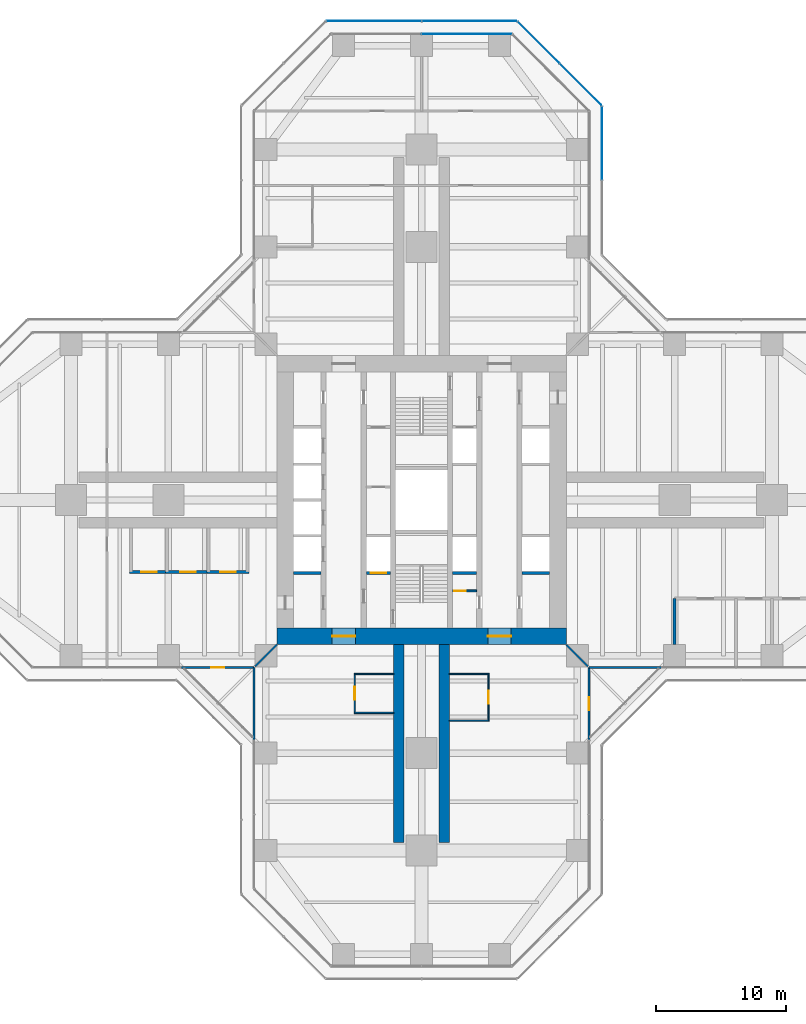
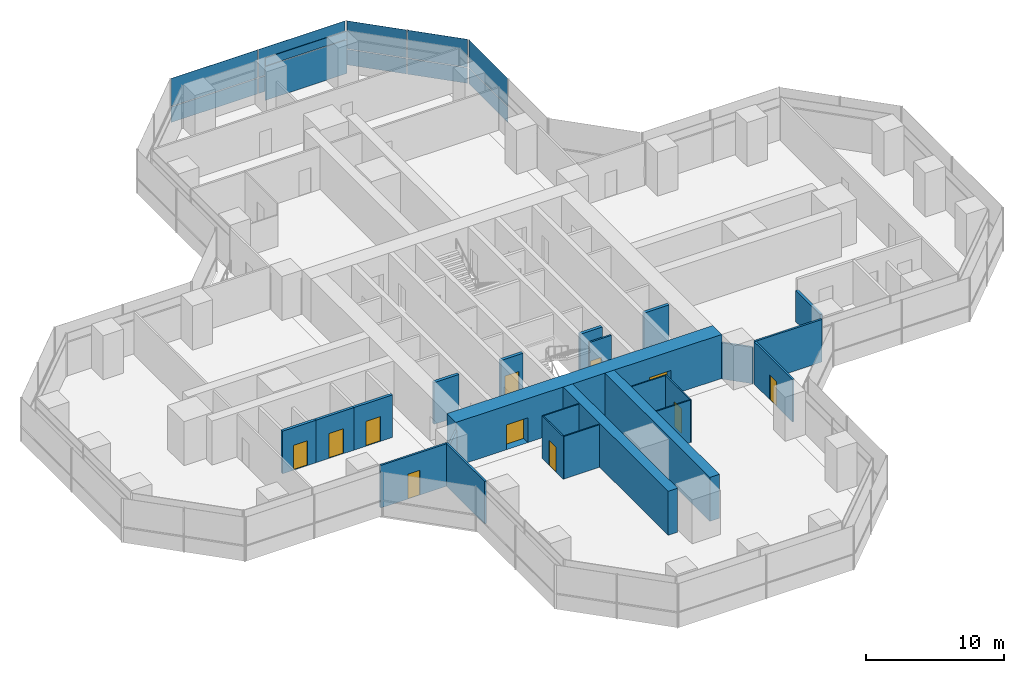
# One storey, part 17 of 22: 24 walls, 12 plates, 11 doors, 11 openings, 4 elements without a shape of their own.
"""IFC4 building model written with IfcOpenShell, lengths in metres."""

import ifcopenshell
import ifcopenshell.guid

model = None  # the IFC model being written
_history = None  # IfcOwnerHistory: only IFC2X3 demands one
_inside = {}  # id of a spatial element -> (the spatial element, [elements in it])
_under = {}  # id of a project, library or spatial element -> (it, [spatial elements below it])
_declared = {}  # id of a project -> (the project, [libraries it declares])
_typed = {}  # id of a type object -> (the type object, [elements of that type])
_made_of = {}  # id of a material, layer set ... -> (it, [elements and type objects made of it])


def new_model(schema):
    """Start an empty IFC model of exactly this schema.

    Asked for "IFC4X3", IfcOpenShell would pick the latest addendum, in which some entities
    have other attributes; the version numbers below select the first issue.
    IFC2X3 requires an IfcOwnerHistory on every rooted entity: one is made here for all.
    """
    global model, _history
    if schema == "IFC4X3":
        model = ifcopenshell.file(schema_version=(4, 3, 0, 0))
    else:
        model = ifcopenshell.file(schema=schema)
    _inside.clear()
    _under.clear()
    _declared.clear()
    _typed.clear()
    _made_of.clear()
    _history = None
    if model.schema == "IFC2X3":
        org = make("IfcOrganization", Name="unknown")
        user = make(
            "IfcPersonAndOrganization",
            ThePerson=make("IfcPerson", FamilyName="unknown"),
            TheOrganization=org,
        )
        app = make(
            "IfcApplication",
            ApplicationDeveloper=org,
            Version="unknown",
            ApplicationFullName="unknown",
            ApplicationIdentifier="unknown",
        )
        _history = make(
            "IfcOwnerHistory",
            OwningUser=user,
            OwningApplication=app,
            ChangeAction="ADDED",
            CreationDate=0,
        )
    return model


def make(cls, **values):
    """One entity of the class cls with the attributes given. An attribute that is None is left unset."""
    return model.create_entity(
        cls, **{name: value for name, value in values.items() if value is not None}
    )


def rooted(cls, **values):
    """An entity with a GlobalId (a new one), such as an element, a storey or a relation."""
    return make(cls, GlobalId=ifcopenshell.guid.new(), OwnerHistory=_history, **values)


def si_unit(unit_type, name, prefix=None):
    """IfcSIUnit, for example si_unit("LENGTHUNIT", "METRE", prefix="MILLI")."""
    return make("IfcSIUnit", UnitType=unit_type, Prefix=prefix, Name=name)


def assignment(units):
    """IfcUnitAssignment: the units of a project."""
    return None if units is None else make("IfcUnitAssignment", Units=units)


def point(xyz):
    """IfcCartesianPoint."""
    return None if xyz is None else make("IfcCartesianPoint", Coordinates=xyz)


def direction(xyz):
    """IfcDirection."""
    return None if xyz is None else make("IfcDirection", DirectionRatios=xyz)


def frame(location, z_axis=None, x_axis=None):
    """IfcAxis2Placement3D, a coordinate frame: its origin and axes. An axis left out is left unset."""
    return make(
        "IfcAxis2Placement3D",
        Location=point(location),
        Axis=direction(z_axis),
        RefDirection=direction(x_axis),
    )


def frame_2d(location, x_axis=None):
    """IfcAxis2Placement2D, a coordinate frame in the plane: its origin and x axis."""
    return make(
        "IfcAxis2Placement2D", Location=point(location), RefDirection=direction(x_axis)
    )


def origin():
    """The frame at (0, 0, 0) with its axes left unset."""
    return frame((0.0, 0.0, 0.0))


def origin_2d():
    """The frame at (0, 0) in the plane with its x axis left unset."""
    return frame_2d((0.0, 0.0))


def place(relative_to, where):
    """IfcLocalPlacement: puts the frame where relative to a parent placement (None: the world)."""
    return make(
        "IfcLocalPlacement", PlacementRelTo=relative_to, RelativePlacement=where
    )


def context(
    kind, dimensions, precision=None, world=None, true_north=None, identifier=None
):
    """IfcGeometricRepresentationContext, for example the 3D "Model" context."""
    return make(
        "IfcGeometricRepresentationContext",
        ContextIdentifier=identifier,
        ContextType=kind,
        CoordinateSpaceDimension=dimensions,
        Precision=precision,
        WorldCoordinateSystem=world,
        TrueNorth=true_north,
    )


def subcontext(parent, identifier, kind, view, scale=None):
    """IfcGeometricRepresentationSubContext, for example "Body" below "Model"."""
    return make(
        "IfcGeometricRepresentationSubContext",
        ContextIdentifier=identifier,
        ContextType=kind,
        ParentContext=parent,
        TargetScale=scale,
        TargetView=view,
    )


def project(units=None, contexts=None):
    """IfcProject with its units and contexts."""
    return rooted(
        "IfcProject",
        Name="project",
        RepresentationContexts=contexts,
        UnitsInContext=assignment(units),
    )


def spatial(cls, under=None, at=None, **own):
    """A site, building, storey or space (cls), placed at a placement, below another one or the project."""
    s = rooted(cls, ObjectPlacement=at, **own)
    if under is not None:
        _under.setdefault(under.id(), (under, []))[1].append(s)
    return s


def profile(cls, at=None, kind="AREA", **sizes):
    """A parametric profile (cls). Its sizes go by their IFC names, for example OverallWidth=200.0."""
    return make(cls, ProfileType=kind, Position=at, **sizes)


def rectangle(**sizes):
    """IfcRectangleProfileDef."""
    return profile("IfcRectangleProfileDef", **sizes)


def extrude(swept, where, along, depth):
    """IfcExtrudedAreaSolid: the profile swept, set in the frame where, extruded along a direction by depth."""
    return make(
        "IfcExtrudedAreaSolid",
        SweptArea=swept,
        Position=where,
        ExtrudedDirection=direction(along),
        Depth=depth,
    )


def shape(context_of_items, identifier, shape_type, items):
    """IfcShapeRepresentation: the items that make up one representation, for example the "Body"."""
    return make(
        "IfcShapeRepresentation",
        ContextOfItems=context_of_items,
        RepresentationIdentifier=identifier,
        RepresentationType=shape_type,
        Items=items,
    )


def material(Name=None, Category=None):
    """IfcMaterial."""
    return make("IfcMaterial", Name=Name, Category=Category)


def layer(
    of_material, thickness, ventilated=None, Name=None, Category=None, Priority=None
):
    """IfcMaterialLayer: one layer of a wall or slab, of a material (None: an air gap)."""
    return make(
        "IfcMaterialLayer",
        Material=of_material,
        LayerThickness=thickness,
        IsVentilated=ventilated,
        Name=Name,
        Category=Category,
        Priority=Priority,
    )


def layer_set(layers, Name=None):
    """IfcMaterialLayerSet."""
    return make("IfcMaterialLayerSet", MaterialLayers=layers, LayerSetName=Name)


def made_of(thing, what):
    """Note that an element or type object is made of a material, layer set ...; save() writes the relation."""
    if what is not None:
        _made_of.setdefault(what.id(), (what, []))[1].append(thing)
    return thing


def type_object(cls, material=None, **own):
    """A type object (cls), such as IfcWallType, which elements share."""
    return made_of(rooted(cls, **own), material)


def element(
    cls,
    number,
    at=None,
    inside=None,
    cuts=None,
    type_object=None,
    material=None,
    context=None,
    identifier="Body",
    shape_type=None,
    held_by="IfcProductDefinitionShape",
    body=None,
    shapes=None,
    **own,
):
    """One element of the class cls, such as IfcWall. Its Tag is "e" and its number.

    at: its placement. inside: the storey or other place that contains it. cuts: it is an
    opening in that element (IfcRelVoidsElement). A single representation is given by context,
    identifier, shape_type and body (its items); several are given by shapes. held_by: the class
    of the entity that holds the representations. save() writes the other relations.
    """
    e = rooted(cls, Tag="e%d" % number, ObjectPlacement=at, **own)
    if body is not None:
        shapes = [shape(context, identifier, shape_type, body)]
    if shapes is not None:
        e.Representation = make(held_by, Representations=shapes)
    if inside is not None:
        _inside.setdefault(inside.id(), (inside, []))[1].append(e)
    if cuts is not None:
        rooted(
            "IfcRelVoidsElement", RelatingBuildingElement=cuts, RelatedOpeningElement=e
        )
    if type_object is not None:
        _typed.setdefault(type_object.id(), (type_object, []))[1].append(e)
    return made_of(e, material)


def fill(opening, filler):
    """IfcRelFillsElement: the door or window that sits in an opening."""
    return rooted(
        "IfcRelFillsElement",
        RelatingOpeningElement=opening,
        RelatedBuildingElement=filler,
    )


def aggregate(whole, parts):
    """IfcRelAggregates: a whole, such as a stair, and the parts it consists of."""
    return rooted("IfcRelAggregates", RelatingObject=whole, RelatedObjects=parts)


def save(model, path):
    """Write the relations noted so far, then the file.

    IfcRelAggregates (storeys below a building ...), IfcRelContainedInSpatialStructure (elements
    in a storey), IfcRelDefinesByType, IfcRelAssociatesMaterial and IfcRelDeclares: one each for
    every whole, place, type object, material and project.
    """
    for whole, parts in _under.values():
        aggregate(whole, parts)
    for where, things in _inside.values():
        rooted(
            "IfcRelContainedInSpatialStructure",
            RelatedElements=things,
            RelatingStructure=where,
        )
    for kind, things in _typed.values():
        rooted("IfcRelDefinesByType", RelatedObjects=things, RelatingType=kind)
    for what, things in _made_of.values():
        rooted("IfcRelAssociatesMaterial", RelatedObjects=things, RelatingMaterial=what)
    for by, libraries in _declared.values():
        rooted("IfcRelDeclares", RelatingContext=by, RelatedDefinitions=libraries)
    model.write(path)


model = new_model("IFC4")

# Units and contexts
model_context = context("Model", 3, precision=1e-05, world=origin(), true_north=direction((0.0, 1.0)))
body_context = subcontext(model_context, "Body", "Model", "MODEL_VIEW")
ifc_project = project(units=[si_unit("LENGTHUNIT", "METRE"), si_unit("AREAUNIT", "SQUARE_METRE"), si_unit("VOLUMEUNIT", "CUBIC_METRE"), si_unit("PLANEANGLEUNIT", "RADIAN"), si_unit("MASSUNIT", "GRAM", prefix="KILO")], contexts=[model_context])

# Site, building, storey
site_placement = place(None, origin())
site = spatial("IfcSite", under=ifc_project, at=site_placement, CompositionType="ELEMENT")
building_placement = place(site_placement, origin())
building = spatial("IfcBuilding", under=site, at=building_placement, Name="Mizan Broadcast Tower", CompositionType="ELEMENT")
storey_placement = place(building_placement, frame((0.0, 0.0, 51.300048828125)))
storey = spatial("IfcBuildingStorey", under=building, at=storey_placement, Name="L09", CompositionType="ELEMENT", Elevation=51.300048828125)

# Curtain wall, plates
ifc_material_1 = material(Name="Aluminium framed glazing", Category="aluminium")
curtain_wall_type_1 = type_object("IfcCurtainWallType", Name="INNER SKIN LOW ZONE", PredefinedType="USERDEFINED", material=ifc_material_1)
curtain_wall_1_placement = place(storey_placement, origin())
curtain_wall_1 = element("IfcCurtainWall", 1, at=curtain_wall_1_placement, inside=storey, type_object=curtain_wall_type_1, Name="Inner skin low zone L09 N end", ObjectType="INNER SKIN LOW ZONE", PredefinedType="USERDEFINED")
ifc_material_2 = material(Name="Double glazing, clear low-e", Category="glass")
ifc_layer_1 = layer(ifc_material_2, 0.028076171875)
ifc_layer_set_1 = layer_set([ifc_layer_1], Name="Double glazing, clear low-e")
plate_type_1 = type_object("IfcPlateType", Name="INNER SKIN GLAZING UNIT", PredefinedType="CURTAIN_PANEL", material=ifc_layer_set_1)
plate_1_placement = place(storey_placement, frame((3.46435546875, 35.89990234375, 0.0), z_axis=(0.0, 0.0, 1.0), x_axis=(-1.0, 0.0, 0.0)))
plate_1 = element("IfcPlate", 2, at=plate_1_placement, type_object=plate_type_1, Name="Inner skin low zone L09 N end panel 1.1", PredefinedType="CURTAIN_PANEL", context=body_context, shape_type="SweptSolid", body=[
    extrude(rectangle(XDim=6.86865234375, YDim=0.028076171875, at=origin_2d()), origin(), (0.0, 0.0, 1.0), 3.0),
])
ifc_material_3 = material(Name="Insulated aluminium spandrel panel, pale anodised", Category="aluminium")
ifc_layer_2 = layer(ifc_material_3, 0.050048828125)
ifc_layer_set_2 = layer_set([ifc_layer_2], Name="Insulated aluminium spandrel panel, pale anodised")
plate_type_2 = type_object("IfcPlateType", Name="INNER SKIN SPANDREL PANEL", PredefinedType="CURTAIN_PANEL", material=ifc_layer_set_2)
plate_2_placement = place(storey_placement, frame((3.46435546875, 35.89990234375, 3.06005859375), z_axis=(0.0, 0.0, 1.0), x_axis=(-1.0, 0.0, 0.0)))
plate_2 = element("IfcPlate", 3, at=plate_2_placement, type_object=plate_type_2, Name="Inner skin low zone L09 N end panel 1.2", PredefinedType="CURTAIN_PANEL", context=body_context, shape_type="SweptSolid", body=[
    extrude(rectangle(XDim=6.86865234375, YDim=0.050048828125, at=origin_2d()), origin(), (0.0, 0.0, 1.0), 0.7099609375),
])
aggregate(curtain_wall_1, [plate_1, plate_2])

ifc_material_4 = material(Name="Aluminium framed glazing", Category="aluminium")
curtain_wall_type_2 = type_object("IfcCurtainWallType", Name="OUTER SKIN", PredefinedType="USERDEFINED", material=ifc_material_4)
curtain_wall_2_placement = place(storey_placement, origin())
curtain_wall_2 = element("IfcCurtainWall", 4, at=curtain_wall_2_placement, inside=storey, type_object=curtain_wall_type_2, Name="Outer skin L09 N chamfer", ObjectType="OUTER SKIN", PredefinedType="USERDEFINED")
ifc_material_5 = material(Name="Laminated clear glass", Category="glass")
ifc_layer_3 = layer(ifc_material_5, 0.02001953125)
ifc_layer_set_3 = layer_set([ifc_layer_3], Name="Laminated clear glass")
plate_type_3 = type_object("IfcPlateType", Name="OUTER SKIN CLEAR GLASS", PredefinedType="CURTAIN_PANEL", material=ifc_layer_set_3)
plate_3_placement = place(storey_placement, frame((12.254150390625, 32.018798828125, 0.0), z_axis=(0.0, 0.0, 1.0), x_axis=(-0.707106781187, 0.707106781187, 0.0)))
plate_3 = element("IfcPlate", 5, at=plate_3_placement, type_object=plate_type_3, Name="Outer skin L09 N chamfer panel 1.1", PredefinedType="CURTAIN_PANEL", context=body_context, shape_type="SweptSolid", body=[
    extrude(rectangle(XDim=4.495361328125, YDim=0.02001953125, at=origin_2d()), origin(), (0.0, 0.0, 1.0), 1.3701171875),
])
plate_4_placement = place(storey_placement, frame((12.254150390625, 32.018798828125, 1.43017578125), z_axis=(0.0, 0.0, 1.0), x_axis=(-0.707106781187, 0.707106781187, 0.0)))
plate_4 = element("IfcPlate", 6, at=plate_4_placement, type_object=plate_type_3, Name="Outer skin L09 N chamfer panel 1.2", PredefinedType="CURTAIN_PANEL", context=body_context, shape_type="SweptSolid", body=[
    extrude(rectangle(XDim=4.495361328125, YDim=0.02001953125, at=origin_2d()), origin(), (0.0, 0.0, 1.0), 2.469970703125),
])

curtain_wall_3_placement = place(storey_placement, origin())
curtain_wall_3 = element("IfcCurtainWall", 7, at=curtain_wall_3_placement, inside=storey, type_object=curtain_wall_type_2, Name="Outer skin L09 N end", ObjectType="OUTER SKIN", PredefinedType="USERDEFINED")
plate_5_placement = place(storey_placement, frame((3.66650390625, 36.89990234375, 0.0), z_axis=(0.0, 0.0, 1.0), x_axis=(-1.0, 0.0, 0.0)))
plate_5 = element("IfcPlate", 8, at=plate_5_placement, type_object=plate_type_3, Name="Outer skin L09 N end panel 1.1", PredefinedType="CURTAIN_PANEL", context=body_context, shape_type="SweptSolid", body=[
    extrude(rectangle(XDim=7.252685546875, YDim=0.02001953125, at=origin_2d()), origin(), (0.0, 0.0, 1.0), 1.3701171875),
])
plate_6_placement = place(storey_placement, frame((3.66650390625, 36.89990234375, 1.43017578125), z_axis=(0.0, 0.0, 1.0), x_axis=(-1.0, 0.0, 0.0)))
plate_6 = element("IfcPlate", 9, at=plate_6_placement, type_object=plate_type_3, Name="Outer skin L09 N end panel 1.2", PredefinedType="CURTAIN_PANEL", context=body_context, shape_type="SweptSolid", body=[
    extrude(rectangle(XDim=7.252685546875, YDim=0.02001953125, at=origin_2d()), origin(), (0.0, 0.0, 1.0), 2.469970703125),
])
plate_7_placement = place(storey_placement, frame((-3.66650390625, 36.89990234375, 0.0), z_axis=(0.0, 0.0, 1.0), x_axis=(-1.0, 0.0, 0.0)))
plate_7 = element("IfcPlate", 10, at=plate_7_placement, type_object=plate_type_3, Name="Outer skin L09 N end panel 2.1", PredefinedType="CURTAIN_PANEL", context=body_context, shape_type="SweptSolid", body=[
    extrude(rectangle(XDim=7.252685546875, YDim=0.02001953125, at=origin_2d()), origin(), (0.0, 0.0, 1.0), 1.3701171875),
])
plate_8_placement = place(storey_placement, frame((-3.66650390625, 36.89990234375, 1.43017578125), z_axis=(0.0, 0.0, 1.0), x_axis=(-1.0, 0.0, 0.0)))
plate_8 = element("IfcPlate", 11, at=plate_8_placement, type_object=plate_type_3, Name="Outer skin L09 N end panel 2.2", PredefinedType="CURTAIN_PANEL", context=body_context, shape_type="SweptSolid", body=[
    extrude(rectangle(XDim=7.252685546875, YDim=0.02001953125, at=origin_2d()), origin(), (0.0, 0.0, 1.0), 2.469970703125),
])
aggregate(curtain_wall_3, [plate_5, plate_6, plate_7, plate_8])

curtain_wall_4_placement = place(storey_placement, origin())
curtain_wall_4 = element("IfcCurtainWall", 12, at=curtain_wall_4_placement, inside=storey, type_object=curtain_wall_type_2, Name="Outer skin L09 N side", ObjectType="OUTER SKIN", PredefinedType="USERDEFINED")
ifc_material_6 = material(Name="Perforated aluminium, pale anodised", Category="aluminium")
ifc_layer_4 = layer(ifc_material_6, 0.011962890625)
ifc_layer_set_4 = layer_set([ifc_layer_4], Name="Perforated aluminium, pale anodised")
plate_type_4 = type_object("IfcPlateType", Name="OUTER SKIN PERFORATED SCREEN", PredefinedType="USERDEFINED", material=ifc_layer_set_4)
plate_9_placement = place(storey_placement, frame((13.89990234375, 27.477783203125, 0.0), z_axis=(0.0, 0.0, 1.0), x_axis=(0.0, 1.0, 0.0)))
plate_9 = element("IfcPlate", 13, at=plate_9_placement, type_object=plate_type_4, Name="Outer skin L09 N side panel 2.1", ObjectType="SCREEN", PredefinedType="USERDEFINED", context=body_context, shape_type="SweptSolid", body=[
    extrude(rectangle(XDim=5.6298828125, YDim=0.011962890625, at=origin_2d()), origin(), (0.0, 0.0, 1.0), 1.3701171875),
])
plate_10_placement = place(storey_placement, frame((13.89990234375, 27.477783203125, 1.43017578125), z_axis=(0.0, 0.0, 1.0), x_axis=(0.0, 1.0, 0.0)))
plate_10 = element("IfcPlate", 14, at=plate_10_placement, type_object=plate_type_4, Name="Outer skin L09 N side panel 2.2", ObjectType="SCREEN", PredefinedType="USERDEFINED", context=body_context, shape_type="SweptSolid", body=[
    extrude(rectangle(XDim=5.6298828125, YDim=0.011962890625, at=origin_2d()), origin(), (0.0, 0.0, 1.0), 2.469970703125),
])
aggregate(curtain_wall_4, [plate_9, plate_10])

# Plate
plate_11_placement = place(storey_placement, frame((9.018798828125, 35.254150390625, 0.0), z_axis=(0.0, 0.0, 1.0), x_axis=(-0.707106781187, 0.707106781187, 0.0)))
plate_11 = element("IfcPlate", 15, at=plate_11_placement, type_object=plate_type_4, Name="Outer skin L09 N chamfer panel 2.1", ObjectType="SCREEN", PredefinedType="USERDEFINED", context=body_context, shape_type="SweptSolid", body=[
    extrude(rectangle(XDim=4.495361328125, YDim=0.011962890625, at=origin_2d()), origin(), (0.0, 0.0, 1.0), 1.3701171875),
])

plate_12_placement = place(storey_placement, frame((9.018798828125, 35.254150390625, 1.43017578125), z_axis=(0.0, 0.0, 1.0), x_axis=(-0.707106781187, 0.707106781187, 0.0)))
plate_12 = element("IfcPlate", 16, at=plate_12_placement, type_object=plate_type_4, Name="Outer skin L09 N chamfer panel 2.2", ObjectType="SCREEN", PredefinedType="USERDEFINED", context=body_context, shape_type="SweptSolid", body=[
    extrude(rectangle(XDim=4.495361328125, YDim=0.011962890625, at=origin_2d()), origin(), (0.0, 0.0, 1.0), 2.469970703125),
])

aggregate(curtain_wall_2, [plate_3, plate_4, plate_11, plate_12])

# Wall, opening, door
ifc_material_7 = material(Name="Concrete blockwork", Category="masonry")
ifc_layer_5 = layer(ifc_material_7, 0.14990234375)
ifc_layer_set_5 = layer_set([ifc_layer_5], Name="Concrete blockwork")
wall_type_1 = type_object("IfcWallType", Name="CORE PARTITION 150", PredefinedType="SOLIDWALL", material=ifc_layer_set_5)
wall_1_placement = place(storey_placement, frame((2.39990234375, -7.0, 0.0), z_axis=(0.0, 0.0, 1.0), x_axis=(1.0, 0.0, 0.0)))
wall_1 = element("IfcWall", 17, at=wall_1_placement, inside=storey, type_object=wall_type_1, Name="Core partition CORE/XPC", PredefinedType="SOLIDWALL", context=body_context, shape_type="SweptSolid", body=[
    extrude(rectangle(XDim=1.85009765625, YDim=0.14990234375, at=frame_2d((0.925048828125, 0.0))), origin(), (0.0, 0.0, 1.0), 3.77001953125),
])
opening_1_placement = place(wall_1_placement, frame((0.10009765625, 0.0, 0.0)))
opening_1 = element("IfcOpeningElement", 18, at=opening_1_placement, cuts=wall_1, Name="Opening D09F", PredefinedType="OPENING", context=body_context, shape_type="SweptSolid", body=[
    extrude(rectangle(XDim=0.89990234375, YDim=2.10009765625, at=frame_2d((0.449951171875, 1.050048828125))), frame((0.0, 0.0849609375, 0.0), z_axis=(0.0, -1.0, 0.0), x_axis=(1.0, 0.0, 0.0)), (0.0, 0.0, 1.0), 0.169921875),
])
ifc_material_8 = material(Name="Steel door leaf in steel frame", Category="steel")
door_type_1 = type_object("IfcDoorType", Name="CORE ROOM DOOR 900 FD90", OperationType="SINGLE_SWING_LEFT", PredefinedType="DOOR", material=ifc_material_8)
door_1_placement = place(opening_1_placement, origin())
door_1 = element("IfcDoor", 19, at=door_1_placement, inside=storey, type_object=door_type_1, Name="Waste store door", OperationType="SINGLE_SWING_LEFT", OverallHeight=2.10009765625, OverallWidth=0.89990234375, PredefinedType="DOOR", context=body_context, shape_type="SweptSolid", body=[
    extrude(rectangle(XDim=0.89990234375, YDim=2.10009765625, at=frame_2d((0.449951171875, 1.050048828125))), frame((0.0, 0.02490234375, 0.0), z_axis=(0.0, -1.0, 0.0), x_axis=(1.0, 0.0, 0.0)), (0.0, 0.0, 1.0), 0.050048828125),
])
fill(opening_1, door_1)

# Wall, openings, doors
ifc_material_9 = material(Name="Concrete C70/85", Category="concrete")
ifc_layer_6 = layer(ifc_material_9, 1.300048828125)
ifc_layer_set_6 = layer_set([ifc_layer_6], Name="Concrete C70/85")
wall_type_2 = type_object("IfcWallType", Name="CORE WALL 1300", PredefinedType="SHEAR", material=ifc_layer_set_6)
wall_2_placement = place(storey_placement, frame((11.14990234375, -10.5, 0.0), z_axis=(0.0, 0.0, 1.0), x_axis=(-1.0, 0.0, 0.0)))
wall_2 = element("IfcWall", 20, at=wall_2_placement, inside=storey, type_object=wall_type_2, Name="Core wall S L09", PredefinedType="SHEAR", context=body_context, shape_type="SweptSolid", body=[
    extrude(rectangle(XDim=22.2998046875, YDim=1.300048828125, at=frame_2d((11.14990234375, 0.0))), origin(), (0.0, 0.0, 1.0), 3.89990234375),
])
opening_2_placement = place(wall_2_placement, frame((16.25, 0.0, 0.0)))
opening_2 = element("IfcOpeningElement", 21, at=opening_2_placement, cuts=wall_2, Name="Opening D18F", PredefinedType="OPENING", context=body_context, shape_type="SweptSolid", body=[
    extrude(rectangle(XDim=1.800048828125, YDim=2.199951171875, at=frame_2d((0.89990234375, 1.10009765625))), frame((0.0, 0.659912109375, 0.0), z_axis=(0.0, -1.0, 0.0), x_axis=(1.0, 0.0, 0.0)), (0.0, 0.0, 1.0), 1.320068359375),
])
opening_3_placement = place(wall_2_placement, frame((4.25, 0.0, 0.0)))
opening_3 = element("IfcOpeningElement", 22, at=opening_3_placement, cuts=wall_2, Name="Opening D18F", PredefinedType="OPENING", context=body_context, shape_type="SweptSolid", body=[
    extrude(rectangle(XDim=1.800048828125, YDim=2.199951171875, at=frame_2d((0.89990234375, 1.10009765625))), frame((0.0, 0.659912109375, 0.0), z_axis=(0.0, -1.0, 0.0), x_axis=(1.0, 0.0, 0.0)), (0.0, 0.0, 1.0), 1.320068359375),
])
ifc_material_10 = material(Name="Steel door leaf in steel frame", Category="steel")
door_type_2 = type_object("IfcDoorType", Name="LOBBY DOUBLE DOOR 1800 FD90", OperationType="DOUBLE_DOOR_DOUBLE_SWING", PredefinedType="DOOR", material=ifc_material_10)
door_2_placement = place(opening_2_placement, origin())
door_2 = element("IfcDoor", 23, at=door_2_placement, inside=storey, type_object=door_type_2, Name="West lift lobby south door", OperationType="DOUBLE_DOOR_DOUBLE_SWING", OverallHeight=2.199951171875, OverallWidth=1.800048828125, PredefinedType="DOOR", context=body_context, shape_type="SweptSolid", body=[
    extrude(rectangle(XDim=1.800048828125, YDim=2.199951171875, at=frame_2d((0.89990234375, 1.10009765625))), frame((0.0, 0.02490234375, 0.0), z_axis=(0.0, -1.0, 0.0), x_axis=(1.0, 0.0, 0.0)), (0.0, 0.0, 1.0), 0.050048828125),
])
fill(opening_2, door_2)
door_3_placement = place(opening_3_placement, origin())
door_3 = element("IfcDoor", 24, at=door_3_placement, inside=storey, type_object=door_type_2, Name="East lift lobby south door", OperationType="DOUBLE_DOOR_DOUBLE_SWING", OverallHeight=2.199951171875, OverallWidth=1.800048828125, PredefinedType="DOOR", context=body_context, shape_type="SweptSolid", body=[
    extrude(rectangle(XDim=1.800048828125, YDim=2.199951171875, at=frame_2d((0.89990234375, 1.10009765625))), frame((0.0, 0.02490234375, 0.0), z_axis=(0.0, -1.0, 0.0), x_axis=(1.0, 0.0, 0.0)), (0.0, 0.0, 1.0), 0.050048828125),
])
fill(opening_3, door_3)

# Wall
ifc_material_11 = material(Name="Aluminium framed glazed screen", Category="aluminium")
ifc_layer_7 = layer(ifc_material_11, 0.159912109375)
ifc_layer_set_7 = layer_set([ifc_layer_7], Name="Aluminium framed glazed screen")
wall_type_3 = type_object("IfcWallType", Name="GLAZED SCREEN WALL 160", PredefinedType="SOLIDWALL", material=ifc_layer_set_7)
wall_3_placement = place(storey_placement, frame((12.89990234375, -12.89990234375, 0.0), z_axis=(0.0, 0.0, 1.0), x_axis=(1.0, 0.0, 0.0)))
element("IfcWall", 25, at=wall_3_placement, inside=storey, type_object=wall_type_3, Name="Winter garden screen L09 E", PredefinedType="SOLIDWALL", context=body_context, shape_type="SweptSolid", body=[
    extrude(rectangle(XDim=5.60009765625, YDim=0.159912109375, at=frame_2d((2.800048828125, 0.0))), origin(), (0.0, 0.0, 1.0), 3.77001953125),
])

# Wall, opening, door
wall_4_placement = place(storey_placement, frame((-18.5, -12.89990234375, 0.0), z_axis=(0.0, 0.0, 1.0), x_axis=(1.0, 0.0, 0.0)))
wall_4 = element("IfcWall", 26, at=wall_4_placement, inside=storey, type_object=wall_type_3, Name="Winter garden screen L09 W", PredefinedType="SOLIDWALL", context=body_context, shape_type="SweptSolid", body=[
    extrude(rectangle(XDim=5.60009765625, YDim=0.159912109375, at=frame_2d((2.800048828125, 0.0))), origin(), (0.0, 0.0, 1.0), 3.77001953125),
])
opening_4_placement = place(wall_4_placement, frame((2.300048828125, 0.0, 0.0)))
opening_4 = element("IfcOpeningElement", 27, at=opening_4_placement, cuts=wall_4, Name="Opening WGD", PredefinedType="OPENING", context=body_context, shape_type="SweptSolid", body=[
    extrude(rectangle(XDim=1.0, YDim=2.199951171875, at=frame_2d((0.5, 1.10009765625))), frame((0.0, 0.08984375, 0.0), z_axis=(0.0, -1.0, 0.0), x_axis=(1.0, 0.0, 0.0)), (0.0, 0.0, 1.0), 0.179931640625),
])
ifc_material_12 = material(Name="Aluminium framed glazed door", Category="aluminium")
door_type_3 = type_object("IfcDoorType", Name="WINTER GARDEN DOOR 1000 GLAZED", OperationType="SINGLE_SWING_LEFT", PredefinedType="DOOR", material=ifc_material_12)
door_4_placement = place(opening_4_placement, origin())
door_4 = element("IfcDoor", 28, at=door_4_placement, inside=storey, type_object=door_type_3, Name="Winter garden door L09 W", OperationType="SINGLE_SWING_RIGHT", OverallHeight=2.199951171875, OverallWidth=1.0, PredefinedType="DOOR", context=body_context, shape_type="SweptSolid", body=[
    extrude(rectangle(XDim=1.0, YDim=2.199951171875, at=frame_2d((0.5, 1.10009765625))), frame((0.0, 0.02490234375, 0.0), z_axis=(0.0, -1.0, 0.0), x_axis=(1.0, 0.0, 0.0)), (0.0, 0.0, 1.0), 0.050048828125),
])
fill(opening_4, door_4)

# Wall
wall_5_placement = place(storey_placement, frame((-12.89990234375, -12.89990234375, 0.0), z_axis=(0.0, 0.0, 1.0), x_axis=(0.0, -1.0, 0.0)))
element("IfcWall", 29, at=wall_5_placement, inside=storey, type_object=wall_type_3, Name="Winter garden screen L09 S", PredefinedType="SOLIDWALL", context=body_context, shape_type="SweptSolid", body=[
    extrude(rectangle(XDim=5.60009765625, YDim=0.159912109375, at=frame_2d((2.800048828125, 0.0))), origin(), (0.0, 0.0, 1.0), 3.77001953125),
])

# Wall, opening, door
wall_6_placement = place(storey_placement, frame((12.89990234375, -18.5, 0.0), z_axis=(0.0, 0.0, 1.0), x_axis=(0.0, 1.0, 0.0)))
wall_6 = element("IfcWall", 30, at=wall_6_placement, inside=storey, type_object=wall_type_3, Name="Winter garden screen L09 S", PredefinedType="SOLIDWALL", context=body_context, shape_type="SweptSolid", body=[
    extrude(rectangle(XDim=5.60009765625, YDim=0.159912109375, at=frame_2d((2.800048828125, 0.0))), origin(), (0.0, 0.0, 1.0), 3.77001953125),
])
opening_5_placement = place(wall_6_placement, frame((2.300048828125, 0.0, 0.0)))
opening_5 = element("IfcOpeningElement", 31, at=opening_5_placement, cuts=wall_6, Name="Opening WGD", PredefinedType="OPENING", context=body_context, shape_type="SweptSolid", body=[
    extrude(rectangle(XDim=1.0, YDim=2.199951171875, at=frame_2d((0.5, 1.10009765625))), frame((0.0, 0.08984375, 0.0), z_axis=(0.0, -1.0, 0.0), x_axis=(1.0, 0.0, 0.0)), (0.0, 0.0, 1.0), 0.179931640625),
])
door_5_placement = place(opening_5_placement, origin())
door_5 = element("IfcDoor", 32, at=door_5_placement, inside=storey, type_object=door_type_3, Name="Winter garden door L09 S", OperationType="SINGLE_SWING_RIGHT", OverallHeight=2.199951171875, OverallWidth=1.0, PredefinedType="DOOR", context=body_context, shape_type="SweptSolid", body=[
    extrude(rectangle(XDim=1.0, YDim=2.199951171875, at=frame_2d((0.5, 1.10009765625))), frame((0.0, 0.02490234375, 0.0), z_axis=(0.0, -1.0, 0.0), x_axis=(1.0, 0.0, 0.0)), (0.0, 0.0, 1.0), 0.050048828125),
])
fill(opening_5, door_5)

# Wall
ifc_material_13 = material(Name="Concrete blockwork", Category="masonry")
ifc_layer_8 = layer(ifc_material_13, 0.25)
ifc_layer_set_8 = layer_set([ifc_layer_8], Name="Concrete blockwork")
wall_type_4 = type_object("IfcWallType", Name="LOBBY ENCLOSURE WALL 250", PredefinedType="SOLIDWALL", material=ifc_layer_set_8)
wall_7_placement = place(storey_placement, frame((-9.85009765625, -5.625, 0.0), z_axis=(0.0, 0.0, 1.0), x_axis=(1.0, 0.0, 0.0)))
element("IfcWall", 33, at=wall_7_placement, inside=storey, type_object=wall_type_4, Name="Lobby enclosure wall CORE/BW1S", PredefinedType="SOLIDWALL", context=body_context, shape_type="SweptSolid", body=[
    extrude(rectangle(XDim=2.10009765625, YDim=0.25, at=frame_2d((1.050048828125, 0.0))), origin(), (0.0, 0.0, 1.0), 3.699951171875),
])

# Wall, opening, door
wall_8_placement = place(storey_placement, frame((-4.25, -5.625, 0.0), z_axis=(0.0, 0.0, 1.0), x_axis=(1.0, 0.0, 0.0)))
wall_8 = element("IfcWall", 34, at=wall_8_placement, inside=storey, type_object=wall_type_4, Name="Lobby enclosure wall CORE/BW2S", PredefinedType="SOLIDWALL", context=body_context, shape_type="SweptSolid", body=[
    extrude(rectangle(XDim=1.85009765625, YDim=0.25, at=frame_2d((0.925048828125, 0.0))), origin(), (0.0, 0.0, 1.0), 3.699951171875),
])
opening_6_placement = place(wall_8_placement, frame((0.324951171875, 0.0, 0.0)))
opening_6 = element("IfcOpeningElement", 35, at=opening_6_placement, cuts=wall_8, Name="Opening LDF", PredefinedType="OPENING", context=body_context, shape_type="SweptSolid", body=[
    extrude(rectangle(XDim=1.199951171875, YDim=2.199951171875, at=frame_2d((0.60009765625, 1.10009765625))), frame((0.0, 0.135009765625, 0.0), z_axis=(0.0, -1.0, 0.0), x_axis=(1.0, 0.0, 0.0)), (0.0, 0.0, 1.0), 0.27001953125),
])
ifc_material_14 = material(Name="Steel door leaf in steel frame", Category="steel")
door_type_4 = type_object("IfcDoorType", Name="FIREFIGHTING LIFT LANDING DOOR 1200", OperationType="SLIDING_TO_LEFT", PredefinedType="DOOR", material=ifc_material_14)
door_6_placement = place(opening_6_placement, origin())
door_6 = element("IfcDoor", 36, at=door_6_placement, inside=storey, type_object=door_type_4, Name="Landing door FF1", OperationType="SLIDING_TO_LEFT", OverallHeight=2.199951171875, OverallWidth=1.199951171875, PredefinedType="DOOR", context=body_context, shape_type="SweptSolid", body=[
    extrude(rectangle(XDim=1.199951171875, YDim=2.199951171875, at=frame_2d((0.60009765625, 1.10009765625))), frame((0.0, 0.02490234375, 0.0), z_axis=(0.0, -1.0, 0.0), x_axis=(1.0, 0.0, 0.0)), (0.0, 0.0, 1.0), 0.050048828125),
])
fill(opening_6, door_6)

# Walls
wall_9_placement = place(storey_placement, frame((2.39990234375, -5.625, 0.0), z_axis=(0.0, 0.0, 1.0), x_axis=(1.0, 0.0, 0.0)))
element("IfcWall", 37, at=wall_9_placement, inside=storey, type_object=wall_type_4, Name="Lobby enclosure wall CORE/BE2S", PredefinedType="SOLIDWALL", context=body_context, shape_type="SweptSolid", body=[
    extrude(rectangle(XDim=1.85009765625, YDim=0.25, at=frame_2d((0.925048828125, 0.0))), origin(), (0.0, 0.0, 1.0), 3.699951171875),
])
wall_10_placement = place(storey_placement, frame((7.75, -5.625, 0.0), z_axis=(0.0, 0.0, 1.0), x_axis=(1.0, 0.0, 0.0)))
element("IfcWall", 38, at=wall_10_placement, inside=storey, type_object=wall_type_4, Name="Lobby enclosure wall CORE/BE1S", PredefinedType="SOLIDWALL", context=body_context, shape_type="SweptSolid", body=[
    extrude(rectangle(XDim=2.10009765625, YDim=0.25, at=frame_2d((1.050048828125, 0.0))), origin(), (0.0, 0.0, 1.0), 3.699951171875),
])
ifc_material_15 = material(Name="Gypsum board on steel studs", Category="steel")
ifc_layer_9 = layer(ifc_material_15, 0.14990234375)
ifc_layer_set_9 = layer_set([ifc_layer_9], Name="Gypsum board on steel studs")
wall_type_5 = type_object("IfcWallType", Name="PARTITION 150", PredefinedType="PARTITIONING", material=ifc_layer_set_9)
for number, where, z_axis, x_axis, name in (
    (39, (-11.14990234375, -11.14990234375, 0.0), (0.0, 0.0, 1.0), (-0.707106781187, -0.707106781187, 0.0), "Partition PT/DGWS"),
    (40, (11.14990234375, -11.14990234375, 0.0), (0.0, 0.0, 1.0), (0.707106781187, -0.707106781187, 0.0), "Partition PT/DGES"),
):
    element("IfcWall", number, at=place(storey_placement, frame(where, z_axis=z_axis, x_axis=x_axis)), inside=storey, type_object=wall_type_5, Name=name, PredefinedType="PARTITIONING", context=body_context, shape_type="SweptSolid", body=[
        extrude(rectangle(XDim=2.362060546875, YDim=0.14990234375, at=frame_2d((1.18115234375, 0.0))), origin(), (0.0, 0.0, 1.0), 3.219970703125),
    ])
ifc_material_16 = material(Name="Twin steel stud acoustic partition, four layers of gypsum board", Category="steel")
ifc_layer_10 = layer(ifc_material_16, 0.22509765625)
ifc_layer_set_10 = layer_set([ifc_layer_10], Name="Twin steel stud acoustic partition, four layers of gypsum board")
wall_type_6 = type_object("IfcWallType", Name="PARTITION ACOUSTIC 225", PredefinedType="PARTITIONING", material=ifc_layer_set_10)
wall_11_placement = place(storey_placement, frame((19.5, -7.60009765625, 0.0), z_axis=(0.0, 0.0, 1.0), x_axis=(0.0, -1.0, 0.0)))
element("IfcWall", 41, at=wall_11_placement, inside=storey, type_object=wall_type_6, Name="Acoustic partition PT/EQN1950", PredefinedType="PARTITIONING", context=body_context, shape_type="SweptSolid", body=[
    extrude(rectangle(XDim=3.5498046875, YDim=0.22509765625, at=frame_2d((1.77490234375, 0.0))), origin(), (0.0, 0.0, 1.0), 2.77001953125),
])

# Wall, opening, door
wall_12_placement = place(storey_placement, frame((-13.28759765625, -5.550048828125, 0.0), z_axis=(0.0, 0.0, 1.0), x_axis=(-1.0, 0.0, 0.0)))
wall_12 = element("IfcWall", 42, at=wall_12_placement, inside=storey, type_object=wall_type_6, Name="Acoustic partition PT/WKP0f", PredefinedType="PARTITIONING", context=body_context, shape_type="SweptSolid", body=[
    extrude(rectangle(XDim=3.224853515625, YDim=0.22509765625, at=frame_2d((1.6123046875, 0.0))), origin(), (0.0, 0.0, 1.0), 3.77001953125),
])
opening_7_placement = place(wall_12_placement, frame((1.012451171875, 0.0, 0.0)))
opening_7 = element("IfcOpeningElement", 43, at=opening_7_placement, cuts=wall_12, Name="Opening D12A", PredefinedType="OPENING", context=body_context, shape_type="SweptSolid", body=[
    extrude(rectangle(XDim=1.199951171875, YDim=2.199951171875, at=frame_2d((0.60009765625, 1.10009765625))), frame((0.0, 0.12255859375, 0.0), z_axis=(0.0, -1.0, 0.0), x_axis=(1.0, 0.0, 0.0)), (0.0, 0.0, 1.0), 0.2451171875),
])
ifc_material_17 = material(Name="Timber door leaf in aluminium frame", Category="wood")
door_type_5 = type_object("IfcDoorType", Name="ACOUSTIC DOOR 1200", OperationType="SINGLE_SWING_LEFT", PredefinedType="DOOR", material=ifc_material_17)
door_7_placement = place(opening_7_placement, origin())
door_7 = element("IfcDoor", 44, at=door_7_placement, inside=storey, type_object=door_type_5, Name="Edit suite door", OperationType="SINGLE_SWING_LEFT", OverallHeight=2.199951171875, OverallWidth=1.199951171875, PredefinedType="DOOR", context=body_context, shape_type="SweptSolid", body=[
    extrude(rectangle(XDim=1.199951171875, YDim=2.199951171875, at=frame_2d((0.60009765625, 1.10009765625))), frame((0.0, 0.02490234375, 0.0), z_axis=(0.0, -1.0, 0.0), x_axis=(1.0, 0.0, 0.0)), (0.0, 0.0, 1.0), 0.050048828125),
])
fill(opening_7, door_7)

wall_13_placement = place(storey_placement, frame((-16.512451171875, -5.550048828125, 0.0), z_axis=(0.0, 0.0, 1.0), x_axis=(-1.0, 0.0, 0.0)))
wall_13 = element("IfcWall", 45, at=wall_13_placement, inside=storey, type_object=wall_type_6, Name="Acoustic partition PT/WKP1f", PredefinedType="PARTITIONING", context=body_context, shape_type="SweptSolid", body=[
    extrude(rectangle(XDim=3.199951171875, YDim=0.22509765625, at=frame_2d((1.60009765625, 0.0))), origin(), (0.0, 0.0, 1.0), 3.77001953125),
])
opening_8_placement = place(wall_13_placement, frame((0.887451171875, 0.0, 0.0)))
opening_8 = element("IfcOpeningElement", 46, at=opening_8_placement, cuts=wall_13, Name="Opening D12A", PredefinedType="OPENING", context=body_context, shape_type="SweptSolid", body=[
    extrude(rectangle(XDim=1.199951171875, YDim=2.199951171875, at=frame_2d((0.60009765625, 1.10009765625))), frame((0.0, 0.12255859375, 0.0), z_axis=(0.0, -1.0, 0.0), x_axis=(1.0, 0.0, 0.0)), (0.0, 0.0, 1.0), 0.2451171875),
])
door_8_placement = place(opening_8_placement, origin())
door_8 = element("IfcDoor", 47, at=door_8_placement, inside=storey, type_object=door_type_5, Name="Edit suite door", OperationType="SINGLE_SWING_LEFT", OverallHeight=2.199951171875, OverallWidth=1.199951171875, PredefinedType="DOOR", context=body_context, shape_type="SweptSolid", body=[
    extrude(rectangle(XDim=1.199951171875, YDim=2.199951171875, at=frame_2d((0.60009765625, 1.10009765625))), frame((0.0, 0.02490234375, 0.0), z_axis=(0.0, -1.0, 0.0), x_axis=(1.0, 0.0, 0.0)), (0.0, 0.0, 1.0), 0.050048828125),
])
fill(opening_8, door_8)

wall_14_placement = place(storey_placement, frame((-19.71240234375, -5.550048828125, 0.0), z_axis=(0.0, 0.0, 1.0), x_axis=(-1.0, 0.0, 0.0)))
wall_14 = element("IfcWall", 48, at=wall_14_placement, inside=storey, type_object=wall_type_6, Name="Acoustic partition PT/WKP2f", PredefinedType="PARTITIONING", context=body_context, shape_type="SweptSolid", body=[
    extrude(rectangle(XDim=2.800048828125, YDim=0.22509765625, at=frame_2d((1.39990234375, 0.0))), origin(), (0.0, 0.0, 1.0), 3.77001953125),
])
opening_9_placement = place(wall_14_placement, frame((0.6875, 0.0, 0.0)))
opening_9 = element("IfcOpeningElement", 49, at=opening_9_placement, cuts=wall_14, Name="Opening D12A", PredefinedType="OPENING", context=body_context, shape_type="SweptSolid", body=[
    extrude(rectangle(XDim=1.199951171875, YDim=2.199951171875, at=frame_2d((0.60009765625, 1.10009765625))), frame((0.0, 0.12255859375, 0.0), z_axis=(0.0, -1.0, 0.0), x_axis=(1.0, 0.0, 0.0)), (0.0, 0.0, 1.0), 0.2451171875),
])
door_9_placement = place(opening_9_placement, origin())
door_9 = element("IfcDoor", 50, at=door_9_placement, inside=storey, type_object=door_type_5, Name="Edit suite door", OperationType="SINGLE_SWING_LEFT", OverallHeight=2.199951171875, OverallWidth=1.199951171875, PredefinedType="DOOR", context=body_context, shape_type="SweptSolid", body=[
    extrude(rectangle(XDim=1.199951171875, YDim=2.199951171875, at=frame_2d((0.60009765625, 1.10009765625))), frame((0.0, 0.02490234375, 0.0), z_axis=(0.0, -1.0, 0.0), x_axis=(1.0, 0.0, 0.0)), (0.0, 0.0, 1.0), 0.050048828125),
])
fill(opening_9, door_9)

# Walls
ifc_material_18 = material(Name="Glazed aluminium partition on aluminium track", Category="aluminium")
ifc_layer_11 = layer(ifc_material_18, 0.10009765625)
ifc_layer_set_11 = layer_set([ifc_layer_11], Name="Glazed aluminium partition on aluminium track")
wall_type_7 = type_object("IfcWallType", Name="PARTITION GLAZED OFFICE FRONT 100", PredefinedType="PARTITIONING", material=ifc_layer_set_11)
for number, where, z_axis, x_axis, name in (
    (51, (2.14990234375, -13.39990234375, 0.0), (0.0, 0.0, 1.0), (1.0, 0.0, 0.0), "Glazed office front PT/SKP0a"),
    (52, (2.14990234375, -17.0, 0.0), (0.0, 0.0, 1.0), (1.0, 0.0, 0.0), "Glazed office front PT/SKP0b"),
):
    element("IfcWall", number, at=place(storey_placement, frame(where, z_axis=z_axis, x_axis=x_axis)), inside=storey, type_object=wall_type_7, Name=name, PredefinedType="PARTITIONING", context=body_context, shape_type="SweptSolid", body=[
        extrude(rectangle(XDim=3.0, YDim=0.10009765625, at=frame_2d((1.5, 0.0))), origin(), (0.0, 0.0, 1.0), 3.77001953125),
    ])

# Wall, opening, door
wall_15_placement = place(storey_placement, frame((5.14990234375, -13.35009765625, 0.0), z_axis=(0.0, 0.0, 1.0), x_axis=(0.0, -1.0, 0.0)))
wall_15 = element("IfcWall", 53, at=wall_15_placement, inside=storey, type_object=wall_type_7, Name="Glazed office front PT/SKP0f", PredefinedType="PARTITIONING", context=body_context, shape_type="SweptSolid", body=[
    extrude(rectangle(XDim=3.699951171875, YDim=0.10009765625, at=frame_2d((1.85009765625, 0.0))), origin(), (0.0, 0.0, 1.0), 3.77001953125),
])
opening_10_placement = place(wall_15_placement, frame((1.35009765625, 0.0, 0.0)))
opening_10 = element("IfcOpeningElement", 54, at=opening_10_placement, cuts=wall_15, Name="Opening D10O", PredefinedType="OPENING", context=body_context, shape_type="SweptSolid", body=[
    extrude(rectangle(XDim=1.0, YDim=2.199951171875, at=frame_2d((0.5, 1.10009765625))), frame((0.0, 0.06005859375, 0.0), z_axis=(0.0, -1.0, 0.0), x_axis=(1.0, 0.0, 0.0)), (0.0, 0.0, 1.0), 0.1201171875),
])
ifc_material_19 = material(Name="Timber door leaf in aluminium frame", Category="wood")
door_type_6 = type_object("IfcDoorType", Name="OFFICE DOOR 1000 GLAZED", OperationType="SINGLE_SWING_LEFT", PredefinedType="DOOR", material=ifc_material_19)
door_10_placement = place(opening_10_placement, origin())
door_10 = element("IfcDoor", 55, at=door_10_placement, inside=storey, type_object=door_type_6, Name="Graphics room door", OperationType="SINGLE_SWING_LEFT", OverallHeight=2.199951171875, OverallWidth=1.0, PredefinedType="DOOR", context=body_context, shape_type="SweptSolid", body=[
    extrude(rectangle(XDim=1.0, YDim=2.199951171875, at=frame_2d((0.5, 1.10009765625))), frame((0.0, 0.02490234375, 0.0), z_axis=(0.0, -1.0, 0.0), x_axis=(1.0, 0.0, 0.0)), (0.0, 0.0, 1.0), 0.050048828125),
])
fill(opening_10, door_10)

# Walls
for number, where, z_axis, x_axis, name in (
    (56, (-2.14990234375, -13.39990234375, 0.0), (0.0, 0.0, 1.0), (-1.0, 0.0, 0.0), "Glazed office front PT/SKN0a"),
    (57, (-2.14990234375, -16.39990234375, 0.0), (0.0, 0.0, 1.0), (-1.0, 0.0, 0.0), "Glazed office front PT/SKN0b"),
):
    element("IfcWall", number, at=place(storey_placement, frame(where, z_axis=z_axis, x_axis=x_axis)), inside=storey, type_object=wall_type_7, Name=name, PredefinedType="PARTITIONING", context=body_context, shape_type="SweptSolid", body=[
        extrude(rectangle(XDim=3.0, YDim=0.10009765625, at=frame_2d((1.5, 0.0))), origin(), (0.0, 0.0, 1.0), 3.77001953125),
    ])

# Wall, opening, door
wall_16_placement = place(storey_placement, frame((-5.14990234375, -13.35009765625, 0.0), z_axis=(0.0, 0.0, 1.0), x_axis=(0.0, -1.0, 0.0)))
wall_16 = element("IfcWall", 58, at=wall_16_placement, inside=storey, type_object=wall_type_7, Name="Glazed office front PT/SKN0f", PredefinedType="PARTITIONING", context=body_context, shape_type="SweptSolid", body=[
    extrude(rectangle(XDim=3.099853515625, YDim=0.10009765625, at=frame_2d((1.5498046875, 0.0))), origin(), (0.0, 0.0, 1.0), 3.77001953125),
])
opening_11_placement = place(wall_16_placement, frame((1.050048828125, 0.0, 0.0)))
opening_11 = element("IfcOpeningElement", 59, at=opening_11_placement, cuts=wall_16, Name="Opening D10O", PredefinedType="OPENING", context=body_context, shape_type="SweptSolid", body=[
    extrude(rectangle(XDim=1.0, YDim=2.199951171875, at=frame_2d((0.5, 1.10009765625))), frame((0.0, 0.06005859375, 0.0), z_axis=(0.0, -1.0, 0.0), x_axis=(1.0, 0.0, 0.0)), (0.0, 0.0, 1.0), 0.1201171875),
])
door_11_placement = place(opening_11_placement, origin())
door_11 = element("IfcDoor", 60, at=door_11_placement, inside=storey, type_object=door_type_6, Name="Pantry door", OperationType="SINGLE_SWING_LEFT", OverallHeight=2.199951171875, OverallWidth=1.0, PredefinedType="DOOR", context=body_context, shape_type="SweptSolid", body=[
    extrude(rectangle(XDim=1.0, YDim=2.199951171875, at=frame_2d((0.5, 1.10009765625))), frame((0.0, 0.02490234375, 0.0), z_axis=(0.0, -1.0, 0.0), x_axis=(1.0, 0.0, 0.0)), (0.0, 0.0, 1.0), 0.050048828125),
])
fill(opening_11, door_11)

# Walls
ifc_material_20 = material(Name="Concrete C70/85", Category="concrete")
ifc_layer_12 = layer(ifc_material_20, 0.800048828125)
ifc_layer_set_12 = layer_set([ifc_layer_12], Name="Concrete C70/85")
wall_type_8 = type_object("IfcWallType", Name="SPINE WALL 800", PredefinedType="SHEAR", material=ifc_layer_set_12)
for number, where, z_axis, x_axis, name in (
    (61, (-1.75, -11.14990234375, 0.0), (0.0, 0.0, 1.0), (0.0, -1.0, 0.0), "Spine wall SR L09"),
    (62, (1.75, -11.14990234375, 0.0), (0.0, 0.0, 1.0), (0.0, -1.0, 0.0), "Spine wall SL L09"),
):
    element("IfcWall", number, at=place(storey_placement, frame(where, z_axis=z_axis, x_axis=x_axis)), inside=storey, type_object=wall_type_8, Name=name, PredefinedType="SHEAR", context=body_context, shape_type="SweptSolid", body=[
        extrude(rectangle(XDim=15.25, YDim=0.800048828125, at=frame_2d((7.625, 0.0))), origin(), (0.0, 0.0, 1.0), 3.89990234375),
    ])

save(model, "model.ifc")
